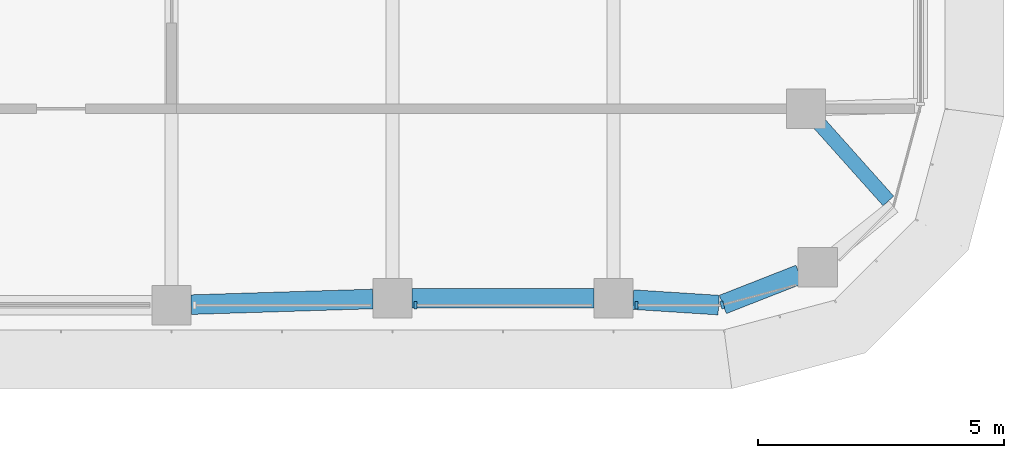
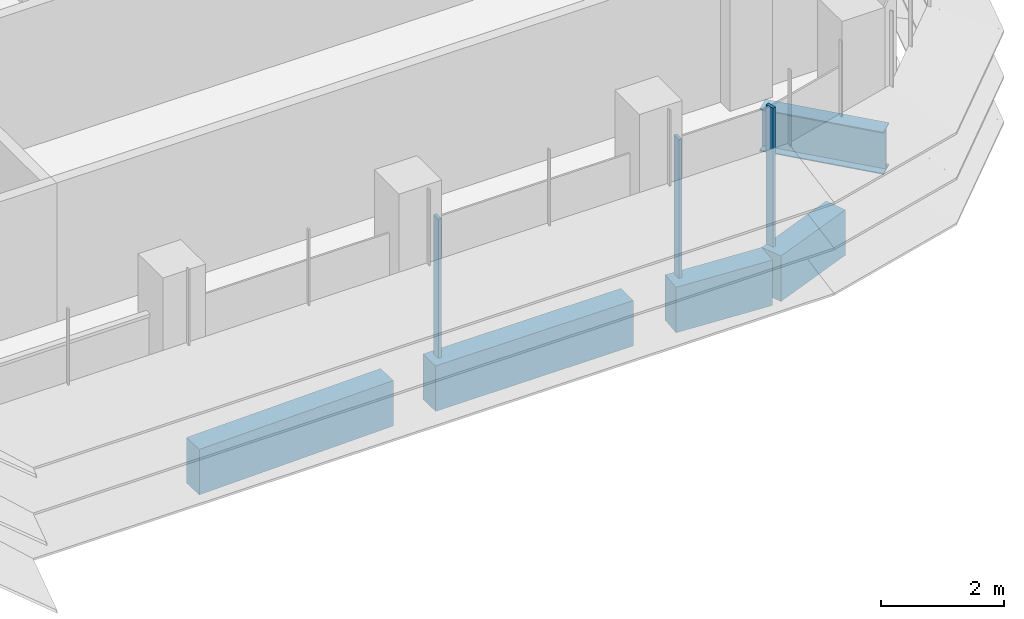
# One storey, part 5 of 19: 5 beams, 3 members, 2 elements without a shape of their own.
"""IFC4 building model written with IfcOpenShell, lengths in metres."""

from ifc_helpers import new_model, si_unit, direction, frame, origin, origin_2d, place, context, subcontext, project, spatial, polyline, rectangle, i_section, outline, extrude, source, transform, mapped, material, material_profile, profile_set, type_object, element, aggregate, save


model = new_model("IFC4")

# Units and contexts
model_context = context("Model", 3, precision=1e-05, world=origin(), true_north=direction((0.0, 1.0)))
body_context = subcontext(model_context, "Body", "Model", "MODEL_VIEW")
ifc_project = project(units=[si_unit("LENGTHUNIT", "METRE"), si_unit("AREAUNIT", "SQUARE_METRE"), si_unit("VOLUMEUNIT", "CUBIC_METRE"), si_unit("PLANEANGLEUNIT", "RADIAN"), si_unit("MASSUNIT", "GRAM", prefix="KILO")], contexts=[model_context])

# Site, building, storey
site_placement = place(None, origin())
site = spatial("IfcSite", under=ifc_project, at=site_placement, CompositionType="ELEMENT")
building_placement = place(site_placement, origin())
building = spatial("IfcBuilding", under=site, at=building_placement, Name="Zarbagh Exchange Tower", CompositionType="ELEMENT")
storey_placement = place(building_placement, frame((0.0, 0.0, 179.0)))
storey = spatial("IfcBuildingStorey", under=building, at=storey_placement, Name="L43", CompositionType="ELEMENT", Elevation=179.0)

# Beams
ifc_material_1 = material(Name="Steel ASTM A992 Gr 50", Category="steel")
ifc_material_profile_1 = material_profile(ifc_material_1, i_section(OverallWidth=0.2919921875, OverallDepth=0.835693359375, WebThickness=0.013916015625, FlangeThickness=0.018798828125, at=origin_2d()), Name="W33X118")
ifc_profile_set_1 = profile_set([ifc_material_profile_1], Name="Steel ASTM A992 Gr 50")
beam_type_1 = type_object("IfcBeamType", Name="Floor girder W33X118", PredefinedType="BEAM", material=ifc_profile_set_1)
beam_1_placement = place(storey_placement, frame((28.9365234375, -2.54833984375, -0.56787109375), z_axis=(0.666238158503, -0.745739040251, 0.0), x_axis=(0.745739040251, 0.666238158503, 0.0)))
element("IfcBeam", 1, at=beam_1_placement, inside=storey, type_object=beam_type_1, Name="Steel girder", PredefinedType="BEAM", context=body_context, shape_type="SweptSolid", body=[
    extrude(i_section(OverallWidth=0.2919921875, OverallDepth=0.835693359375, WebThickness=0.013916015625, FlangeThickness=0.018798828125, at=origin_2d()), origin(), (0.0, 0.0, 1.0), 2.115966796875),
])
ifc_material_2 = material(Name="Concrete C50/60", Category="concrete")
ifc_material_profile_2 = material_profile(ifc_material_2, rectangle(XDim=0.39990234375, YDim=0.89990234375, at=origin_2d()), Name="RC spandrel beam 400 x 900 C50/60")
ifc_profile_set_2 = profile_set([ifc_material_profile_2], Name="Concrete C50/60")
beam_type_2 = type_object("IfcBeamType", Name="RC spandrel beam 400 x 900 C50/60", PredefinedType="SPANDREL", material=ifc_profile_set_2)
beam_2_placement = place(storey_placement, frame((28.53564453125, -5.62109375, -0.60009765625), z_axis=(-0.930818758612, -0.36548110569, 0.0), x_axis=(0.36548110569, -0.930818758612, 0.0)))
element("IfcBeam", 2, at=beam_2_placement, inside=storey, type_object=beam_type_2, Name="RC spandrel beam", PredefinedType="SPANDREL", context=body_context, shape_type="SweptSolid", body=[
    extrude(rectangle(XDim=0.39990234375, YDim=0.89990234375, at=origin_2d()), origin(), (0.0, 0.0, 1.0), 1.676025390625),
])
beam_3_placement = place(storey_placement, frame((26.8896484375, -6.247314453125, -0.60009765625), z_axis=(-0.997942679773, 0.064112462805, 0.0), x_axis=(-0.064112462805, -0.997942679773, 0.0)))
element("IfcBeam", 3, at=beam_3_placement, inside=storey, type_object=beam_type_2, Name="RC spandrel beam", PredefinedType="SPANDREL", context=body_context, shape_type="SweptSolid", body=[
    extrude(rectangle(XDim=0.39990234375, YDim=0.89990234375, at=origin_2d()), origin(), (0.0, 0.0, 1.0), 1.744140625),
])
beam_4_placement = place(storey_placement, frame((24.35009765625, -6.110107421875, -0.60009765625), z_axis=(-1.0, 0.0, 0.0), x_axis=(0.0, -1.0, 0.0)))
element("IfcBeam", 4, at=beam_4_placement, inside=storey, type_object=beam_type_2, Name="RC spandrel beam", PredefinedType="SPANDREL", context=body_context, shape_type="SweptSolid", body=[
    extrude(rectangle(XDim=0.39990234375, YDim=0.89990234375, at=origin_2d()), origin(), (0.0, 0.0, 1.0), 3.7001953125),
])
beam_5_placement = place(storey_placement, frame((19.85009765625, -6.122314453125, -0.60009765625), z_axis=(-0.999515416033, -0.031127690444, 0.0), x_axis=(0.031127690444, -0.999515416033, 0.0)))
element("IfcBeam", 5, at=beam_5_placement, inside=storey, type_object=beam_type_2, Name="RC spandrel beam", PredefinedType="SPANDREL", context=body_context, shape_type="SweptSolid", body=[
    extrude(rectangle(XDim=0.39990234375, YDim=0.89990234375, at=origin_2d()), origin(), (0.0, 0.0, 1.0), 3.701904296875),
])

# Curtain wall, members
ifc_material_3 = material(Name="Anodised aluminium frame and glazing", Category="aluminium")
curtain_wall_type = type_object("IfcCurtainWallType", Name="CWB Ribbon glazing, upper zones", PredefinedType="NOTDEFINED", material=ifc_material_3)
curtain_wall_1_placement = place(storey_placement, origin())
curtain_wall_1 = element("IfcCurtainWall", 6, at=curtain_wall_1_placement, inside=storey, type_object=curtain_wall_type, Name="CWB08 curtain wall", PredefinedType="NOTDEFINED")
ifc_material_4 = material(Name="Anodised aluminium frame", Category="aluminium")
member_type = type_object("IfcMemberType", Name="MUB Mullion, anodised aluminium frame", PredefinedType="MULLION", material=ifc_material_4)
shared_shape = source(origin(), body_context, "Body", "SweptSolid", [
    extrude(outline(polyline([(0.0, -0.080078125), (0.06005859375, -0.080078125), (0.06005859375, 0.080078125), (0.0, 0.080078125), (0.0, -0.080078125)])), origin(), (0.0, 0.0, 1.0), 2.75),
])
placement = place(storey_placement, origin())
member_1 = element("IfcMember", 7, at=placement, type_object=member_type, Name="CWB08 mullion 3.1", PredefinedType="MULLION", context=body_context, shape_type="MappedRepresentation", body=[
    mapped(shared_shape, transform((20.68994140625, -6.25, 0.0), x_axis=(1.0, 0.0, 0.0), y_axis=(0.0, 1.0, 0.0), z_axis=(0.0, 0.0, 1.0))),
])
member_2 = element("IfcMember", 8, at=placement, type_object=member_type, Name="CWB08 mullion 4.1", PredefinedType="MULLION", context=body_context, shape_type="MappedRepresentation", body=[
    mapped(shared_shape, transform((25.18994140625, -6.25, 0.0), x_axis=(1.0, 0.0, 0.0), y_axis=(0.0, 1.0, 0.0), z_axis=(0.0, 0.0, 1.0))),
])
aggregate(curtain_wall_1, [member_1, member_2])

# Curtain wall, member
curtain_wall_2_placement = place(storey_placement, origin())
curtain_wall_2 = element("IfcCurtainWall", 9, at=curtain_wall_2_placement, inside=storey, type_object=curtain_wall_type, Name="CWB09 curtain wall", PredefinedType="NOTDEFINED")
member_3 = element("IfcMember", 10, at=placement, type_object=member_type, Name="CWB09 mullion 1.1", PredefinedType="MULLION", context=body_context, shape_type="MappedRepresentation", body=[
    mapped(shared_shape, transform((26.93408203125, -6.25, 0.0), x_axis=(0.965924289636, 0.258824779902, 0.0), y_axis=(-0.258824779902, 0.965924289636, 0.0), z_axis=(0.0, 0.0, 1.0))),
])
aggregate(curtain_wall_2, [member_3])

save(model, "model.ifc")
